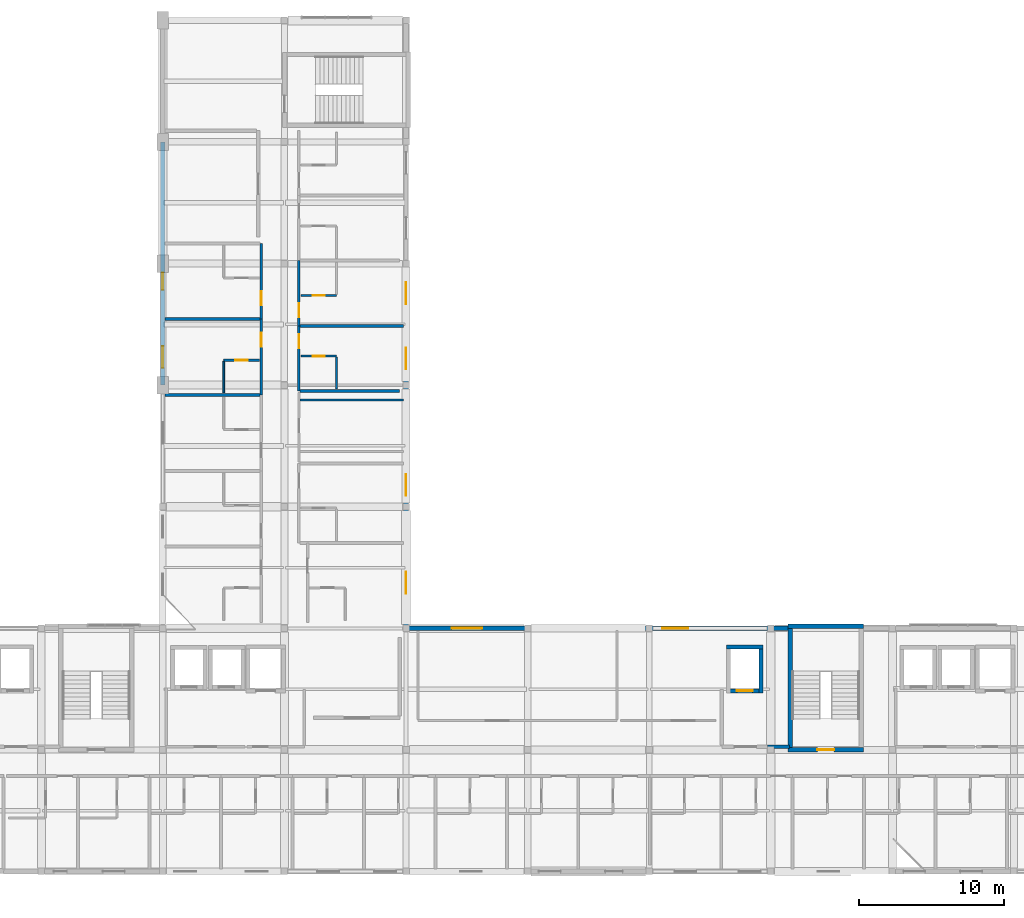
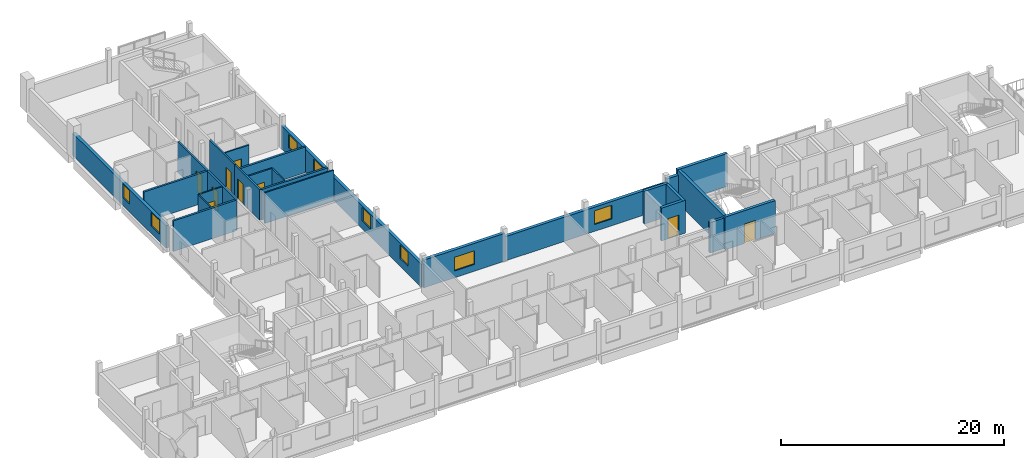
# One storey, part 13 of 19: 26 walls, 9 doors, 8 windows, 17 openings.
"""IFC4 building model written with IfcOpenShell, lengths in metres."""

from ifc_helpers import new_model, si_unit, derived_unit, direction, frame, frame_2d, origin, place, context, subcontext, project, spatial, rectangle, extrude, material, layer, layer_set, type_object, element, fill, save


model = new_model("IFC4")

# Units and contexts
model_context = context("Model", 3, precision=1e-05, world=origin(), true_north=direction((0.0, 1.0)))
body_context = subcontext(model_context, "Body", "Model", "MODEL_VIEW")
ifc_project = project(units=[si_unit("LENGTHUNIT", "METRE"), si_unit("AREAUNIT", "SQUARE_METRE"), si_unit("VOLUMEUNIT", "CUBIC_METRE"), si_unit("PLANEANGLEUNIT", "RADIAN"), si_unit("MASSUNIT", "GRAM", prefix="KILO"), derived_unit("THERMALTRANSMITTANCEUNIT", [(si_unit("POWERUNIT", "WATT"), 1), (si_unit("LENGTHUNIT", "METRE"), -2), (si_unit("THERMODYNAMICTEMPERATUREUNIT", "KELVIN"), -1)])], contexts=[model_context])

# Site, building, storey
site_placement = place(None, origin())
site = spatial("IfcSite", under=ifc_project, at=site_placement, CompositionType="ELEMENT")
building_placement = place(site_placement, origin())
building = spatial("IfcBuilding", under=site, at=building_placement, Name="Barrovel Congress Hotel", CompositionType="ELEMENT")
storey_placement = place(building_placement, frame((0.0, 0.0, 43.5)))
storey = spatial("IfcBuildingStorey", under=building, at=storey_placement, Name="L11", CompositionType="ELEMENT", Elevation=43.5)

# Wall, opening, window
ifc_material_1 = material(Name="Fired Clay Brick Masonry", Category="masonry")
ifc_layer_1 = layer(ifc_material_1, 0.320068359375)
ifc_layer_set_1 = layer_set([ifc_layer_1], Name="Fired Clay Brick Masonry")
wall_type_1 = type_object("IfcWallType", Name="EW-BRK320", PredefinedType="STANDARD", material=ifc_layer_set_1)
wall_1_placement = place(storey_placement, frame((75.60009765625, 21.0, 0.0), z_axis=(0.0, 0.0, 1.0), x_axis=(-1.0, 0.0, 0.0)))
wall_1 = element("IfcWall", 1, at=wall_1_placement, inside=storey, type_object=wall_type_1, Name="EW:L11:HS-NE-3", PredefinedType="STANDARD", context=body_context, shape_type="SweptSolid", body=[
    extrude(rectangle(XDim=16.800048828125, YDim=0.320068359375, at=frame_2d((8.39990234375, 0.0))), origin(), (0.0, 0.0, 1.0), 2.659912109375),
])
opening_1_placement = place(wall_1_placement, frame((5.699951171875, 0.0, 0.75)))
opening_1 = element("IfcOpeningElement", 2, at=opening_1_placement, cuts=wall_1, Name="Opening WN-08", PredefinedType="OPENING", context=body_context, shape_type="SweptSolid", body=[
    extrude(rectangle(XDim=1.800048828125, YDim=1.5, at=frame_2d((0.89990234375, 0.75))), frame((0.0, 0.169921875, 0.0), z_axis=(0.0, -1.0, 0.0), x_axis=(1.0, 0.0, 0.0)), (0.0, 0.0, 1.0), 0.340087890625),
])
ifc_material_2 = material(Name="Double Low-E Insulated Glazing", Category="glass")
window_type_1 = type_object("IfcWindowType", Name="WIN-WN-08", PartitioningType="SINGLE_PANEL", PredefinedType="WINDOW", material=ifc_material_2)
window_1_placement = place(opening_1_placement, origin())
window_1 = element("IfcWindow", 3, at=window_1_placement, inside=storey, type_object=window_type_1, Name="WIN:L11:VIP-1", OverallHeight=1.5, OverallWidth=1.800048828125, PartitioningType="SINGLE_PANEL", PredefinedType="WINDOW", context=body_context, shape_type="SweptSolid", body=[
    extrude(rectangle(XDim=1.800048828125, YDim=1.5, at=frame_2d((0.89990234375, 0.75))), frame((0.0, 0.030029296875, 0.0), z_axis=(0.0, -1.0, 0.0), x_axis=(1.0, 0.0, 0.0)), (0.0, 0.0, 1.0), 0.06005859375),
])
fill(opening_1, window_1)

# Wall, openings, windows
wall_2_placement = place(storey_placement, frame((50.39990234375, 21.0, 0.0), z_axis=(0.0, 0.0, 1.0), x_axis=(0.0, 1.0, 0.0)))
wall_2 = element("IfcWall", 4, at=wall_2_placement, inside=storey, type_object=wall_type_1, Name="EW:L11:HW-E-1", PredefinedType="STANDARD", context=body_context, shape_type="SweptSolid", body=[
    extrude(rectangle(XDim=25.199951171875, YDim=0.320068359375, at=frame_2d((12.60009765625, 0.0))), origin(), (0.0, 0.0, 1.0), 2.510009765625),
])
opening_2_placement = place(wall_2_placement, frame((2.39990234375, 0.0, 0.85009765625)))
opening_2 = element("IfcOpeningElement", 5, at=opening_2_placement, cuts=wall_2, Name="Opening WN-07", PredefinedType="OPENING", context=body_context, shape_type="SweptSolid", body=[
    extrude(rectangle(XDim=1.5, YDim=1.5, at=frame_2d((0.75, 0.75))), frame((0.0, 0.169921875, 0.0), z_axis=(0.0, -1.0, 0.0), x_axis=(1.0, 0.0, 0.0)), (0.0, 0.0, 1.0), 0.340087890625),
])
opening_3_placement = place(wall_2_placement, frame((9.14990234375, 0.0, 0.85009765625)))
opening_3 = element("IfcOpeningElement", 6, at=opening_3_placement, cuts=wall_2, Name="Opening WN-07", PredefinedType="OPENING", context=body_context, shape_type="SweptSolid", body=[
    extrude(rectangle(XDim=1.5, YDim=1.5, at=frame_2d((0.75, 0.75))), frame((0.0, 0.169921875, 0.0), z_axis=(0.0, -1.0, 0.0), x_axis=(1.0, 0.0, 0.0)), (0.0, 0.0, 1.0), 0.340087890625),
])
opening_4_placement = place(wall_2_placement, frame((17.89990234375, 0.0, 0.85009765625)))
opening_4 = element("IfcOpeningElement", 7, at=opening_4_placement, cuts=wall_2, Name="Opening WN-07", PredefinedType="OPENING", context=body_context, shape_type="SweptSolid", body=[
    extrude(rectangle(XDim=1.5, YDim=1.5, at=frame_2d((0.75, 0.75))), frame((0.0, 0.169921875, 0.0), z_axis=(0.0, -1.0, 0.0), x_axis=(1.0, 0.0, 0.0)), (0.0, 0.0, 1.0), 0.340087890625),
])
opening_5_placement = place(wall_2_placement, frame((22.39990234375, 0.0, 0.85009765625)))
opening_5 = element("IfcOpeningElement", 8, at=opening_5_placement, cuts=wall_2, Name="Opening WN-07", PredefinedType="OPENING", context=body_context, shape_type="SweptSolid", body=[
    extrude(rectangle(XDim=1.5, YDim=1.5, at=frame_2d((0.75, 0.75))), frame((0.0, 0.169921875, 0.0), z_axis=(0.0, -1.0, 0.0), x_axis=(1.0, 0.0, 0.0)), (0.0, 0.0, 1.0), 0.340087890625),
])
window_type_2 = type_object("IfcWindowType", Name="WIN-WN-07", PartitioningType="SINGLE_PANEL", PredefinedType="WINDOW", material=ifc_material_2)
window_2_placement = place(opening_2_placement, origin())
window_2 = element("IfcWindow", 9, at=window_2_placement, inside=storey, type_object=window_type_2, Name="WIN:L11:U23", OverallHeight=1.5, OverallWidth=1.5, PartitioningType="SINGLE_PANEL", PredefinedType="WINDOW", context=body_context, shape_type="SweptSolid", body=[
    extrude(rectangle(XDim=1.5, YDim=1.5, at=frame_2d((0.75, 0.75))), frame((0.0, 0.030029296875, 0.0), z_axis=(0.0, -1.0, 0.0), x_axis=(1.0, 0.0, 0.0)), (0.0, 0.0, 1.0), 0.06005859375),
])
fill(opening_2, window_2)
window_3_placement = place(opening_3_placement, origin())
window_3 = element("IfcWindow", 10, at=window_3_placement, inside=storey, type_object=window_type_2, Name="WIN:L11:U24", OverallHeight=1.5, OverallWidth=1.5, PartitioningType="SINGLE_PANEL", PredefinedType="WINDOW", context=body_context, shape_type="SweptSolid", body=[
    extrude(rectangle(XDim=1.5, YDim=1.5, at=frame_2d((0.75, 0.75))), frame((0.0, 0.030029296875, 0.0), z_axis=(0.0, -1.0, 0.0), x_axis=(1.0, 0.0, 0.0)), (0.0, 0.0, 1.0), 0.06005859375),
])
fill(opening_3, window_3)
window_4_placement = place(opening_4_placement, origin())
window_4 = element("IfcWindow", 11, at=window_4_placement, inside=storey, type_object=window_type_2, Name="WIN:L11:U25", OverallHeight=1.5, OverallWidth=1.5, PartitioningType="SINGLE_PANEL", PredefinedType="WINDOW", context=body_context, shape_type="SweptSolid", body=[
    extrude(rectangle(XDim=1.5, YDim=1.5, at=frame_2d((0.75, 0.75))), frame((0.0, 0.030029296875, 0.0), z_axis=(0.0, -1.0, 0.0), x_axis=(1.0, 0.0, 0.0)), (0.0, 0.0, 1.0), 0.06005859375),
])
fill(opening_4, window_4)
window_5_placement = place(opening_5_placement, origin())
window_5 = element("IfcWindow", 12, at=window_5_placement, inside=storey, type_object=window_type_2, Name="WIN:L11:U26", OverallHeight=1.5, OverallWidth=1.5, PartitioningType="SINGLE_PANEL", PredefinedType="WINDOW", context=body_context, shape_type="SweptSolid", body=[
    extrude(rectangle(XDim=1.5, YDim=1.5, at=frame_2d((0.75, 0.75))), frame((0.0, 0.030029296875, 0.0), z_axis=(0.0, -1.0, 0.0), x_axis=(1.0, 0.0, 0.0)), (0.0, 0.0, 1.0), 0.06005859375),
])
fill(opening_5, window_5)

# Wall
wall_3_placement = place(storey_placement, frame((76.800048828125, 21.0, 0.0), z_axis=(0.0, 0.0, 1.0), x_axis=(-1.0, 0.0, 0.0)))
element("IfcWall", 13, at=wall_3_placement, inside=storey, type_object=wall_type_1, Name="EW:L11:HS-NE-3:P01", PredefinedType="STANDARD", context=body_context, shape_type="SweptSolid", body=[
    extrude(rectangle(XDim=1.199951171875, YDim=0.320068359375, at=frame_2d((0.60009765625, 0.0))), origin(), (0.0, 0.0, 1.0), 3.10595703125),
])

# Wall, opening, window
wall_4_placement = place(storey_placement, frame((58.800048828125, 21.0, 0.0), z_axis=(0.0, 0.0, 1.0), x_axis=(-1.0, 0.0, 0.0)))
wall_4 = element("IfcWall", 14, at=wall_4_placement, inside=storey, type_object=wall_type_1, Name="EW:L11:HS-NE-3:P03", PredefinedType="STANDARD", context=body_context, shape_type="SweptSolid", body=[
    extrude(rectangle(XDim=8.400146484375, YDim=0.320068359375, at=frame_2d((4.2001953125, 0.0))), origin(), (0.0, 0.0, 1.0), 3.050048828125),
])
opening_6_placement = place(wall_4_placement, frame((3.14990234375, 0.0, 0.75)))
opening_6 = element("IfcOpeningElement", 15, at=opening_6_placement, cuts=wall_4, Name="Opening WN-09", PredefinedType="OPENING", context=body_context, shape_type="SweptSolid", body=[
    extrude(rectangle(XDim=2.10009765625, YDim=1.5, at=frame_2d((1.050048828125, 0.75))), frame((0.0, 0.169921875, 0.0), z_axis=(0.0, -1.0, 0.0), x_axis=(1.0, 0.0, 0.0)), (0.0, 0.0, 1.0), 0.340087890625),
])
window_type_3 = type_object("IfcWindowType", Name="WIN-WN-09", PartitioningType="SINGLE_PANEL", PredefinedType="WINDOW", material=ifc_material_2)
window_6_placement = place(opening_6_placement, origin())
window_6 = element("IfcWindow", 16, at=window_6_placement, inside=storey, type_object=window_type_3, Name="WIN:L11:CLUB-1", OverallHeight=1.5, OverallWidth=2.10009765625, PartitioningType="SINGLE_PANEL", PredefinedType="WINDOW", context=body_context, shape_type="SweptSolid", body=[
    extrude(rectangle(XDim=2.10009765625, YDim=1.5, at=frame_2d((1.050048828125, 0.75))), frame((0.0, 0.030029296875, 0.0), z_axis=(0.0, -1.0, 0.0), x_axis=(1.0, 0.0, 0.0)), (0.0, 0.0, 1.0), 0.06005859375),
])
fill(opening_6, window_6)

# Wall, openings, windows
wall_5_placement = place(storey_placement, frame((33.60009765625, 54.60009765625, 0.0), z_axis=(0.0, 0.0, 1.0), x_axis=(0.0, -1.0, 0.0)))
wall_5 = element("IfcWall", 17, at=wall_5_placement, inside=storey, type_object=wall_type_1, Name="EW:L11:HW-W:P02", PredefinedType="STANDARD", context=body_context, shape_type="SweptSolid", body=[
    extrude(rectangle(XDim=16.800048828125, YDim=0.320068359375, at=frame_2d((8.39990234375, 0.0))), origin(), (0.0, 0.0, 1.0), 2.4599609375),
])
opening_7_placement = place(wall_5_placement, frame((14.110107421875, 0.0, 0.85009765625)))
opening_7 = element("IfcOpeningElement", 18, at=opening_7_placement, cuts=wall_5, Name="Opening WN-07", PredefinedType="OPENING", context=body_context, shape_type="SweptSolid", body=[
    extrude(rectangle(XDim=1.5, YDim=1.5, at=frame_2d((0.75, 0.75))), frame((0.0, 0.169921875, 0.0), z_axis=(0.0, -1.0, 0.0), x_axis=(1.0, 0.0, 0.0)), (0.0, 0.0, 1.0), 0.340087890625),
])
opening_8_placement = place(wall_5_placement, frame((9.02001953125, 0.0, 0.85009765625)))
opening_8 = element("IfcOpeningElement", 19, at=opening_8_placement, cuts=wall_5, Name="Opening WN-06", PredefinedType="OPENING", context=body_context, shape_type="SweptSolid", body=[
    extrude(rectangle(XDim=1.199951171875, YDim=1.5, at=frame_2d((0.60009765625, 0.75))), frame((0.0, 0.169921875, 0.0), z_axis=(0.0, -1.0, 0.0), x_axis=(1.0, 0.0, 0.0)), (0.0, 0.0, 1.0), 0.340087890625),
])
window_type_4 = type_object("IfcWindowType", Name="WIN-WN-06", PartitioningType="SINGLE_PANEL", PredefinedType="WINDOW", material=ifc_material_2)
window_7_placement = place(opening_8_placement, origin())
window_7 = element("IfcWindow", 20, at=window_7_placement, inside=storey, type_object=window_type_4, Name="WIN:L11:U22", OverallHeight=1.5, OverallWidth=1.199951171875, PartitioningType="SINGLE_PANEL", PredefinedType="WINDOW", context=body_context, shape_type="SweptSolid", body=[
    extrude(rectangle(XDim=1.199951171875, YDim=1.5, at=frame_2d((0.60009765625, 0.75))), frame((0.0, 0.030029296875, 0.0), z_axis=(0.0, -1.0, 0.0), x_axis=(1.0, 0.0, 0.0)), (0.0, 0.0, 1.0), 0.06005859375),
])
fill(opening_8, window_7)
window_8_placement = place(opening_7_placement, origin())
window_8 = element("IfcWindow", 21, at=window_8_placement, inside=storey, type_object=window_type_2, Name="WIN:L11:U21", OverallHeight=1.5, OverallWidth=1.5, PartitioningType="SINGLE_PANEL", PredefinedType="WINDOW", context=body_context, shape_type="SweptSolid", body=[
    extrude(rectangle(XDim=1.5, YDim=1.5, at=frame_2d((0.75, 0.75))), frame((0.0, 0.030029296875, 0.0), z_axis=(0.0, -1.0, 0.0), x_axis=(1.0, 0.0, 0.0)), (0.0, 0.0, 1.0), 0.06005859375),
])
fill(opening_7, window_8)

# Wall, opening, door
ifc_material_3 = material(Name="Gypsum Acoustic Stud", Category="gypsum")
ifc_layer_2 = layer(ifc_material_3, 0.179931640625)
ifc_layer_set_2 = layer_set([ifc_layer_2], Name="Gypsum Acoustic Stud")
wall_type_2 = type_object("IfcWallType", Name="PW-ACU-180", PredefinedType="PARTITIONING", material=ifc_layer_set_2)
wall_6_placement = place(storey_placement, frame((40.39990234375, 37.1201171875, 0.0), z_axis=(0.0, 0.0, 1.0), x_axis=(0.0, 1.0, 0.0)))
wall_6 = element("IfcWall", 22, at=wall_6_placement, inside=storey, type_object=wall_type_2, Name="PW:L11:U21:COR", PredefinedType="PARTITIONING", context=body_context, shape_type="SweptSolid", body=[
    extrude(rectangle(XDim=5.239990234375, YDim=0.179931640625, at=frame_2d((2.6201171875, 0.0))), origin(), (0.0, 0.0, 1.0), 3.35498046875),
])
opening_9_placement = place(wall_6_placement, frame((3.324951171875, 0.0, 0.0)))
opening_9 = element("IfcOpeningElement", 23, at=opening_9_placement, cuts=wall_6, Name="Opening ID-HTL", PredefinedType="OPENING", context=body_context, shape_type="SweptSolid", body=[
    extrude(rectangle(XDim=0.9599609375, YDim=2.14990234375, at=frame_2d((0.47998046875, 1.074951171875))), frame((0.0, 0.10009765625, 0.0), z_axis=(0.0, -1.0, 0.0), x_axis=(1.0, 0.0, 0.0)), (0.0, 0.0, 1.0), 0.199951171875),
])
ifc_material_4 = material(Name="Solid Oak Acoustic Timber Door", Category="wood")
door_type_1 = type_object("IfcDoorType", Name="IDR-ID-HTL", OperationType="NOTDEFINED", PredefinedType="DOOR", material=ifc_material_4)
door_1_placement = place(opening_9_placement, origin())
door_1 = element("IfcDoor", 24, at=door_1_placement, inside=storey, type_object=door_type_1, Name="DR:L11:U21:ENT", OperationType="SINGLE_SWING_RIGHT", OverallHeight=2.14990234375, OverallWidth=0.9599609375, PredefinedType="DOOR", context=body_context, shape_type="SweptSolid", body=[
    extrude(rectangle(XDim=0.9599609375, YDim=2.14990234375, at=frame_2d((0.47998046875, 1.074951171875))), frame((0.0, 0.02490234375, 0.0), z_axis=(0.0, -1.0, 0.0), x_axis=(1.0, 0.0, 0.0)), (0.0, 0.0, 1.0), 0.050048828125),
])
fill(opening_9, door_1)

wall_7_placement = place(storey_placement, frame((40.39990234375, 42.360107421875, 0.0), z_axis=(0.0, 0.0, 1.0), x_axis=(0.0, 1.0, 0.0)))
wall_7 = element("IfcWall", 25, at=wall_7_placement, inside=storey, type_object=wall_type_2, Name="PW:L11:U22:COR", PredefinedType="PARTITIONING", context=body_context, shape_type="SweptSolid", body=[
    extrude(rectangle(XDim=5.239990234375, YDim=0.179931640625, at=frame_2d((2.6201171875, 0.0))), origin(), (0.0, 0.0, 1.0), 3.35498046875),
])
opening_10_placement = place(wall_7_placement, frame((0.955078125, 0.0, 0.0)))
opening_10 = element("IfcOpeningElement", 26, at=opening_10_placement, cuts=wall_7, Name="Opening ID-HTL", PredefinedType="OPENING", context=body_context, shape_type="SweptSolid", body=[
    extrude(rectangle(XDim=0.9599609375, YDim=2.14990234375, at=frame_2d((0.47998046875, 1.074951171875))), frame((0.0, 0.10009765625, 0.0), z_axis=(0.0, -1.0, 0.0), x_axis=(1.0, 0.0, 0.0)), (0.0, 0.0, 1.0), 0.199951171875),
])
door_2_placement = place(opening_10_placement, origin())
door_2 = element("IfcDoor", 27, at=door_2_placement, inside=storey, type_object=door_type_1, Name="DR:L11:U22:ENT", OperationType="SINGLE_SWING_RIGHT", OverallHeight=2.14990234375, OverallWidth=0.9599609375, PredefinedType="DOOR", context=body_context, shape_type="SweptSolid", body=[
    extrude(rectangle(XDim=0.9599609375, YDim=2.14990234375, at=frame_2d((0.47998046875, 1.074951171875))), frame((0.0, 0.02490234375, 0.0), z_axis=(0.0, -1.0, 0.0), x_axis=(1.0, 0.0, 0.0)), (0.0, 0.0, 1.0), 0.050048828125),
])
fill(opening_10, door_2)

wall_8_placement = place(storey_placement, frame((43.0, 37.39990234375, 0.0), z_axis=(0.0, 0.0, 1.0), x_axis=(0.0, 1.0, 0.0)))
wall_8 = element("IfcWall", 28, at=wall_8_placement, inside=storey, type_object=wall_type_2, Name="PW:L11:U25:COR", PredefinedType="PARTITIONING", context=body_context, shape_type="SweptSolid", body=[
    extrude(rectangle(XDim=4.5, YDim=0.179931640625, at=frame_2d((2.25, 0.0))), origin(), (0.0, 0.0, 1.0), 3.35498046875),
])
opening_11_placement = place(wall_8_placement, frame((2.955078125, 0.0, 0.0)))
opening_11 = element("IfcOpeningElement", 29, at=opening_11_placement, cuts=wall_8, Name="Opening ID-HTL", PredefinedType="OPENING", context=body_context, shape_type="SweptSolid", body=[
    extrude(rectangle(XDim=0.9599609375, YDim=2.14990234375, at=frame_2d((0.47998046875, 1.074951171875))), frame((0.0, 0.10009765625, 0.0), z_axis=(0.0, -1.0, 0.0), x_axis=(1.0, 0.0, 0.0)), (0.0, 0.0, 1.0), 0.199951171875),
])
door_3_placement = place(opening_11_placement, origin())
door_3 = element("IfcDoor", 30, at=door_3_placement, inside=storey, type_object=door_type_1, Name="DR:L11:U25:ENT", OperationType="SINGLE_SWING_RIGHT", OverallHeight=2.14990234375, OverallWidth=0.9599609375, PredefinedType="DOOR", context=body_context, shape_type="SweptSolid", body=[
    extrude(rectangle(XDim=0.9599609375, YDim=2.14990234375, at=frame_2d((0.47998046875, 1.074951171875))), frame((0.0, 0.02490234375, 0.0), z_axis=(0.0, -1.0, 0.0), x_axis=(1.0, 0.0, 0.0)), (0.0, 0.0, 1.0), 0.050048828125),
])
fill(opening_11, door_3)

wall_9_placement = place(storey_placement, frame((43.0, 41.89990234375, 0.0), z_axis=(0.0, 0.0, 1.0), x_axis=(0.0, 1.0, 0.0)))
wall_9 = element("IfcWall", 31, at=wall_9_placement, inside=storey, type_object=wall_type_2, Name="PW:L11:U26:COR", PredefinedType="PARTITIONING", context=body_context, shape_type="SweptSolid", body=[
    extrude(rectangle(XDim=4.5, YDim=0.179931640625, at=frame_2d((2.25, 0.0))), origin(), (0.0, 0.0, 1.0), 3.35498046875),
])
opening_12_placement = place(wall_9_placement, frame((0.5849609375, 0.0, 0.0)))
opening_12 = element("IfcOpeningElement", 32, at=opening_12_placement, cuts=wall_9, Name="Opening ID-HTL", PredefinedType="OPENING", context=body_context, shape_type="SweptSolid", body=[
    extrude(rectangle(XDim=0.9599609375, YDim=2.14990234375, at=frame_2d((0.47998046875, 1.074951171875))), frame((0.0, 0.10009765625, 0.0), z_axis=(0.0, -1.0, 0.0), x_axis=(1.0, 0.0, 0.0)), (0.0, 0.0, 1.0), 0.199951171875),
])
door_4_placement = place(opening_12_placement, origin())
door_4 = element("IfcDoor", 33, at=door_4_placement, inside=storey, type_object=door_type_1, Name="DR:L11:U26:ENT", OperationType="SINGLE_SWING_RIGHT", OverallHeight=2.14990234375, OverallWidth=0.9599609375, PredefinedType="DOOR", context=body_context, shape_type="SweptSolid", body=[
    extrude(rectangle(XDim=0.9599609375, YDim=2.14990234375, at=frame_2d((0.47998046875, 1.074951171875))), frame((0.0, 0.02490234375, 0.0), z_axis=(0.0, -1.0, 0.0), x_axis=(1.0, 0.0, 0.0)), (0.0, 0.0, 1.0), 0.050048828125),
])
fill(opening_12, door_4)

# Walls
ifc_layer_3 = layer(ifc_material_3, 0.1201171875)
ifc_layer_set_3 = layer_set([ifc_layer_3], Name="Gypsum Acoustic Stud")
wall_type_3 = type_object("IfcWallType", Name="PW-INT-120", PredefinedType="PARTITIONING", material=ifc_layer_set_3)
for number, where, z_axis, x_axis, name in (
    (34, (37.800048828125, 37.260009765625, 0.0), (0.0, 0.0, 1.0), (0.0, 1.0, 0.0), "PW:L11:U21:B2"),
    (35, (45.60009765625, 37.5400390625, 0.0), (0.0, 0.0, 1.0), (0.0, 1.0, 0.0), "PW:L11:U25:B2"),
):
    element("IfcWall", number, at=place(storey_placement, frame(where, z_axis=z_axis, x_axis=x_axis)), inside=storey, type_object=wall_type_3, Name=name, PredefinedType="PARTITIONING", context=body_context, shape_type="SweptSolid", body=[
        extrude(rectangle(XDim=2.18994140625, YDim=0.1201171875, at=frame_2d((1.094970703125, 0.0))), origin(), (0.0, 0.0, 1.0), 3.35498046875),
    ])
ifc_layer_4 = layer(ifc_material_1, 0.199951171875)
ifc_layer_set_4 = layer_set([ifc_layer_4], Name="Fired Clay Brick Masonry")
wall_type_4 = type_object("IfcWallType", Name="PW-MAS-200", PredefinedType="PARTITIONING", material=ifc_layer_set_4)
for number, where, z_axis, x_axis, name in (
    (36, (33.760009765625, 37.1201171875, 0.0), (0.0, 0.0, 1.0), (1.0, 0.0, 0.0), "PW:L11:U20:DEM"),
    (37, (33.760009765625, 42.360107421875, 0.0), (0.0, 0.0, 1.0), (1.0, 0.0, 0.0), "PW:L11:U21:DEM"),
):
    element("IfcWall", number, at=place(storey_placement, frame(where, z_axis=z_axis, x_axis=x_axis)), inside=storey, type_object=wall_type_4, Name=name, PredefinedType="PARTITIONING", context=body_context, shape_type="SweptSolid", body=[
        extrude(rectangle(XDim=6.550048828125, YDim=0.199951171875, at=frame_2d((3.27490234375, 0.0))), origin(), (0.0, 0.0, 1.0), 3.35498046875),
    ])
wall_10_placement = place(storey_placement, frame((43.090087890625, 37.39990234375, 0.0), z_axis=(0.0, 0.0, 1.0), x_axis=(1.0, 0.0, 0.0)))
element("IfcWall", 38, at=wall_10_placement, inside=storey, type_object=wall_type_4, Name="PW:L11:U25:DEM0", PredefinedType="PARTITIONING", context=body_context, shape_type="SweptSolid", body=[
    extrude(rectangle(XDim=6.85986328125, YDim=0.199951171875, at=frame_2d((3.429931640625, 0.0))), origin(), (0.0, 0.0, 1.0), 3.35498046875),
])
wall_11_placement = place(storey_placement, frame((43.090087890625, 41.89990234375, 0.0), z_axis=(0.0, 0.0, 1.0), x_axis=(1.0, 0.0, 0.0)))
element("IfcWall", 39, at=wall_11_placement, inside=storey, type_object=wall_type_4, Name="PW:L11:U25:DEM", PredefinedType="PARTITIONING", context=body_context, shape_type="SweptSolid", body=[
    extrude(rectangle(XDim=7.14990234375, YDim=0.199951171875, at=frame_2d((3.574951171875, 0.0))), origin(), (0.0, 0.0, 1.0), 2.81005859375),
])
ifc_layer_5 = layer(ifc_material_1, 0.239990234375)
ifc_layer_set_5 = layer_set([ifc_layer_5], Name="Fired Clay Brick Masonry")
wall_type_5 = type_object("IfcWallType", Name="PW-MAS-240", PredefinedType="PARTITIONING", material=ifc_layer_set_5)
wall_12_placement = place(storey_placement, frame((75.375, 12.820068359375, 0.0), z_axis=(0.0, 0.0, 1.0), x_axis=(1.0, 0.0, 0.0)))
element("IfcWall", 40, at=wall_12_placement, inside=storey, type_object=wall_type_5, Name="RW:SP:L11:FFL-2:S:P02", PredefinedType="PARTITIONING", context=body_context, shape_type="SweptSolid", body=[
    extrude(rectangle(XDim=1.5048828125, YDim=0.239990234375, at=frame_2d((0.75244140625, 0.0))), origin(), (0.0, 0.0, 1.0), 3.35498046875),
])

# Wall, opening, door
ifc_material_5 = material(Name="Gypsum Moisture Board", Category="gypsum")
ifc_layer_6 = layer(ifc_material_5, 0.139892578125)
ifc_layer_set_6 = layer_set([ifc_layer_6], Name="Gypsum Moisture Board")
wall_type_6 = type_object("IfcWallType", Name="PW-WET-140", PredefinedType="PARTITIONING", material=ifc_layer_set_6)
wall_13_placement = place(storey_placement, frame((37.800048828125, 39.52001953125, 0.0), z_axis=(0.0, 0.0, 1.0), x_axis=(1.0, 0.0, 0.0)))
wall_13 = element("IfcWall", 41, at=wall_13_placement, inside=storey, type_object=wall_type_6, Name="PW:L11:U21:B1", PredefinedType="PARTITIONING", context=body_context, shape_type="SweptSolid", body=[
    extrude(rectangle(XDim=2.4599609375, YDim=0.139892578125, at=frame_2d((1.22998046875, 0.0))), origin(), (0.0, 0.0, 1.0), 3.35498046875),
])
opening_13_placement = place(wall_13_placement, frame((0.800048828125, 0.0, 0.0)))
opening_13 = element("IfcOpeningElement", 42, at=opening_13_placement, cuts=wall_13, Name="Opening ID-ENS", PredefinedType="OPENING", context=body_context, shape_type="SweptSolid", body=[
    extrude(rectangle(XDim=0.860107421875, YDim=2.10009765625, at=frame_2d((0.43017578125, 1.050048828125))), frame((0.0, 0.080078125, 0.0), z_axis=(0.0, -1.0, 0.0), x_axis=(1.0, 0.0, 0.0)), (0.0, 0.0, 1.0), 0.159912109375),
])
ifc_material_6 = material(Name="Lacquered Timber Moisture Door", Category="wood")
door_type_2 = type_object("IfcDoorType", Name="IDR-ID-ENS", OperationType="NOTDEFINED", PredefinedType="DOOR", material=ifc_material_6)
door_5_placement = place(opening_13_placement, origin())
door_5 = element("IfcDoor", 43, at=door_5_placement, inside=storey, type_object=door_type_2, Name="DR:L11:U21:ENS", OperationType="SINGLE_SWING_LEFT", OverallHeight=2.10009765625, OverallWidth=0.860107421875, PredefinedType="DOOR", context=body_context, shape_type="SweptSolid", body=[
    extrude(rectangle(XDim=0.860107421875, YDim=2.10009765625, at=frame_2d((0.43017578125, 1.050048828125))), frame((0.0, 0.02490234375, 0.0), z_axis=(0.0, -1.0, 0.0), x_axis=(1.0, 0.0, 0.0)), (0.0, 0.0, 1.0), 0.050048828125),
])
fill(opening_13, door_5)

wall_14_placement = place(storey_placement, frame((43.139892578125, 39.800048828125, 0.0), z_axis=(0.0, 0.0, 1.0), x_axis=(1.0, 0.0, 0.0)))
wall_14 = element("IfcWall", 44, at=wall_14_placement, inside=storey, type_object=wall_type_6, Name="PW:L11:U25:B1", PredefinedType="PARTITIONING", context=body_context, shape_type="SweptSolid", body=[
    extrude(rectangle(XDim=2.460205078125, YDim=0.139892578125, at=frame_2d((1.22998046875, 0.0))), origin(), (0.0, 0.0, 1.0), 3.35498046875),
])
opening_14_placement = place(wall_14_placement, frame((0.800048828125, 0.0, 0.0)))
opening_14 = element("IfcOpeningElement", 45, at=opening_14_placement, cuts=wall_14, Name="Opening ID-ENS", PredefinedType="OPENING", context=body_context, shape_type="SweptSolid", body=[
    extrude(rectangle(XDim=0.860107421875, YDim=2.10009765625, at=frame_2d((0.43017578125, 1.050048828125))), frame((0.0, 0.080078125, 0.0), z_axis=(0.0, -1.0, 0.0), x_axis=(1.0, 0.0, 0.0)), (0.0, 0.0, 1.0), 0.159912109375),
])
door_6_placement = place(opening_14_placement, origin())
door_6 = element("IfcDoor", 46, at=door_6_placement, inside=storey, type_object=door_type_2, Name="DR:L11:U25:ENS", OperationType="SINGLE_SWING_LEFT", OverallHeight=2.10009765625, OverallWidth=0.860107421875, PredefinedType="DOOR", context=body_context, shape_type="SweptSolid", body=[
    extrude(rectangle(XDim=0.860107421875, YDim=2.10009765625, at=frame_2d((0.43017578125, 1.050048828125))), frame((0.0, 0.02490234375, 0.0), z_axis=(0.0, -1.0, 0.0), x_axis=(1.0, 0.0, 0.0)), (0.0, 0.0, 1.0), 0.050048828125),
])
fill(opening_14, door_6)

wall_15_placement = place(storey_placement, frame((43.139892578125, 44.0, 0.0), z_axis=(0.0, 0.0, 1.0), x_axis=(1.0, 0.0, 0.0)))
wall_15 = element("IfcWall", 47, at=wall_15_placement, inside=storey, type_object=wall_type_6, Name="PW:L11:U26:B1", PredefinedType="PARTITIONING", context=body_context, shape_type="SweptSolid", body=[
    extrude(rectangle(XDim=2.460205078125, YDim=0.139892578125, at=frame_2d((1.22998046875, 0.0))), origin(), (0.0, 0.0, 1.0), 3.35498046875),
])
opening_15_placement = place(wall_15_placement, frame((0.800048828125, 0.0, 0.0)))
opening_15 = element("IfcOpeningElement", 48, at=opening_15_placement, cuts=wall_15, Name="Opening ID-ENS", PredefinedType="OPENING", context=body_context, shape_type="SweptSolid", body=[
    extrude(rectangle(XDim=0.860107421875, YDim=2.10009765625, at=frame_2d((0.43017578125, 1.050048828125))), frame((0.0, 0.080078125, 0.0), z_axis=(0.0, -1.0, 0.0), x_axis=(1.0, 0.0, 0.0)), (0.0, 0.0, 1.0), 0.159912109375),
])
door_7_placement = place(opening_15_placement, origin())
door_7 = element("IfcDoor", 49, at=door_7_placement, inside=storey, type_object=door_type_2, Name="DR:L11:U26:ENS", OperationType="SINGLE_SWING_LEFT", OverallHeight=2.10009765625, OverallWidth=0.860107421875, PredefinedType="DOOR", context=body_context, shape_type="SweptSolid", body=[
    extrude(rectangle(XDim=0.860107421875, YDim=2.10009765625, at=frame_2d((0.43017578125, 1.050048828125))), frame((0.0, 0.02490234375, 0.0), z_axis=(0.0, -1.0, 0.0), x_axis=(1.0, 0.0, 0.0)), (0.0, 0.0, 1.0), 0.050048828125),
])
fill(opening_15, door_7)

# Wall
wall_16_placement = place(storey_placement, frame((43.070068359375, 36.780029296875, 0.0), z_axis=(0.0, 0.0, 1.0), x_axis=(1.0, 0.0, 0.0)))
element("IfcWall", 50, at=wall_16_placement, inside=storey, type_object=wall_type_6, Name="RW:SP:L11:WC-A:N", PredefinedType="PARTITIONING", context=body_context, shape_type="SweptSolid", body=[
    extrude(rectangle(XDim=7.169921875, YDim=0.139892578125, at=frame_2d((3.5849609375, 0.0))), origin(), (0.0, 0.0, 1.0), 3.35498046875),
])

# Wall, opening, door
ifc_material_7 = material(Name="Concrete C40", Category="concrete")
ifc_layer_7 = layer(ifc_material_7, 0.280029296875)
ifc_layer_set_7 = layer_set([ifc_layer_7], Name="Concrete C40")
wall_type_7 = type_object("IfcWallType", Name="SW-C40-280", PredefinedType="SHEAR", material=ifc_layer_set_7)
wall_17_placement = place(storey_placement, frame((72.5400390625, 16.679931640625, 0.0), z_axis=(0.0, 0.0, 1.0), x_axis=(1.0, 0.0, 0.0)))
wall_17 = element("IfcWall", 51, at=wall_17_placement, inside=storey, type_object=wall_type_7, Name="LSH:FL-2:L11:S", PredefinedType="SHEAR", context=body_context, shape_type="SweptSolid", body=[
    extrude(rectangle(XDim=2.52001953125, YDim=0.280029296875, at=frame_2d((1.260009765625, 0.0))), origin(), (0.0, 0.0, 1.0), 3.60009765625),
])
opening_16_placement = place(wall_17_placement, frame((0.7099609375, 0.0, 0.0)))
opening_16 = element("IfcOpeningElement", 52, at=opening_16_placement, cuts=wall_17, Name="Opening LD-FF", PredefinedType="OPENING", context=body_context, shape_type="SweptSolid", body=[
    extrude(rectangle(XDim=1.10009765625, YDim=2.199951171875, at=frame_2d((0.550048828125, 1.10009765625))), frame((0.0, 0.14990234375, 0.0), z_axis=(0.0, -1.0, 0.0), x_axis=(1.0, 0.0, 0.0)), (0.0, 0.0, 1.0), 0.300048828125),
])
ifc_material_8 = material(Name="Brushed Stainless Steel", Category="steel")
door_type_3 = type_object("IfcDoorType", Name="IDR-LD-FF", OperationType="NOTDEFINED", PredefinedType="DOOR", material=ifc_material_8)
door_8_placement = place(opening_16_placement, origin())
door_8 = element("IfcDoor", 53, at=door_8_placement, inside=storey, type_object=door_type_3, Name="Lift Landing Door LD-FL-2-L11", OperationType="SLIDING_TO_LEFT", OverallHeight=2.199951171875, OverallWidth=1.10009765625, PredefinedType="DOOR", context=body_context, shape_type="SweptSolid", body=[
    extrude(rectangle(XDim=1.10009765625, YDim=2.199951171875, at=frame_2d((0.550048828125, 1.10009765625))), frame((0.0, 0.02490234375, 0.0), z_axis=(0.0, -1.0, 0.0), x_axis=(1.0, 0.0, 0.0)), (0.0, 0.0, 1.0), 0.050048828125),
])
fill(opening_16, door_8)

# Walls
wall_18_placement = place(storey_placement, frame((74.919921875, 16.5400390625, 0.0), z_axis=(0.0, 0.0, 1.0), x_axis=(0.0, 1.0, 0.0)))
element("IfcWall", 54, at=wall_18_placement, inside=storey, type_object=wall_type_7, Name="LSH:FL-2:L11:E", PredefinedType="SHEAR", context=body_context, shape_type="SweptSolid", body=[
    extrude(rectangle(XDim=3.320068359375, YDim=0.280029296875, at=frame_2d((1.66015625, 0.0))), origin(), (0.0, 0.0, 1.0), 3.60009765625),
])
wall_19_placement = place(storey_placement, frame((75.06005859375, 19.719970703125, 0.0), z_axis=(0.0, 0.0, 1.0), x_axis=(-1.0, 0.0, 0.0)))
element("IfcWall", 55, at=wall_19_placement, inside=storey, type_object=wall_type_7, Name="LSH:FL-2:L11:N", PredefinedType="SHEAR", context=body_context, shape_type="SweptSolid", body=[
    extrude(rectangle(XDim=2.52001953125, YDim=0.280029296875, at=frame_2d((1.260009765625, 0.0))), origin(), (0.0, 0.0, 1.0), 3.60009765625),
])

# Wall, opening, door
ifc_layer_8 = layer(ifc_material_7, 0.300048828125)
ifc_layer_set_8 = layer_set([ifc_layer_8], Name="Concrete C40")
wall_type_8 = type_object("IfcWallType", Name="SW-C40-300", PredefinedType="SHEAR", material=ifc_layer_set_8)
wall_20_placement = place(storey_placement, frame((76.800048828125, 12.610107421875, 0.0), z_axis=(0.0, 0.0, 1.0), x_axis=(1.0, 0.0, 0.0)))
wall_20 = element("IfcWall", 56, at=wall_20_placement, inside=storey, type_object=wall_type_8, Name="SHW:XS-02:L11:S", PredefinedType="SHEAR", context=body_context, shape_type="SweptSolid", body=[
    extrude(rectangle(XDim=5.199951171875, YDim=0.300048828125, at=frame_2d((2.60009765625, 0.0))), origin(), (0.0, 0.0, 1.0), 3.60009765625),
])
opening_17_placement = place(wall_20_placement, frame((2.02490234375, 0.0, 0.0)))
opening_17 = element("IfcOpeningElement", 57, at=opening_17_placement, cuts=wall_20, Name="Opening ID-ST1", PredefinedType="OPENING", context=body_context, shape_type="SweptSolid", body=[
    extrude(rectangle(XDim=1.14990234375, YDim=2.14990234375, at=frame_2d((0.574951171875, 1.074951171875))), frame((0.0, 0.16015625, 0.0), z_axis=(0.0, -1.0, 0.0), x_axis=(1.0, 0.0, 0.0)), (0.0, 0.0, 1.0), 0.320068359375),
])
ifc_material_9 = material(Name="Painted Hollow-Metal Steel Door", Category="steel")
door_type_4 = type_object("IfcDoorType", Name="IDR-ID-ST1", OperationType="NOTDEFINED", PredefinedType="DOOR", material=ifc_material_9)
door_9_placement = place(opening_17_placement, origin())
door_9 = element("IfcDoor", 58, at=door_9_placement, inside=storey, type_object=door_type_4, Name="Stair Core Fire Door XS-02-L11", OperationType="SINGLE_SWING_RIGHT", OverallHeight=2.14990234375, OverallWidth=1.14990234375, PredefinedType="DOOR", context=body_context, shape_type="SweptSolid", body=[
    extrude(rectangle(XDim=1.14990234375, YDim=2.14990234375, at=frame_2d((0.574951171875, 1.074951171875))), frame((0.0, 0.02490234375, 0.0), z_axis=(0.0, -1.0, 0.0), x_axis=(1.0, 0.0, 0.0)), (0.0, 0.0, 1.0), 0.050048828125),
])
fill(opening_17, door_9)

# Walls
wall_21_placement = place(storey_placement, frame((82.0, 21.14990234375, 0.0), z_axis=(0.0, 0.0, 1.0), x_axis=(-1.0, 0.0, 0.0)))
element("IfcWall", 59, at=wall_21_placement, inside=storey, type_object=wall_type_8, Name="SHW:XS-02:L11:N", PredefinedType="SHEAR", context=body_context, shape_type="SweptSolid", body=[
    extrude(rectangle(XDim=5.199951171875, YDim=0.300048828125, at=frame_2d((2.60009765625, 0.0))), origin(), (0.0, 0.0, 1.0), 3.60009765625),
])
wall_22_placement = place(storey_placement, frame((76.949951171875, 21.300048828125, 0.0), z_axis=(0.0, 0.0, 1.0), x_axis=(0.0, -1.0, 0.0)))
element("IfcWall", 60, at=wall_22_placement, inside=storey, type_object=wall_type_8, Name="SHW:XS-02:L11:W", PredefinedType="SHEAR", context=body_context, shape_type="SweptSolid", body=[
    extrude(rectangle(XDim=8.840087890625, YDim=0.300048828125, at=frame_2d((4.419921875, 0.0))), origin(), (0.0, 0.0, 1.0), 3.60009765625),
])

save(model, "model.ifc")
